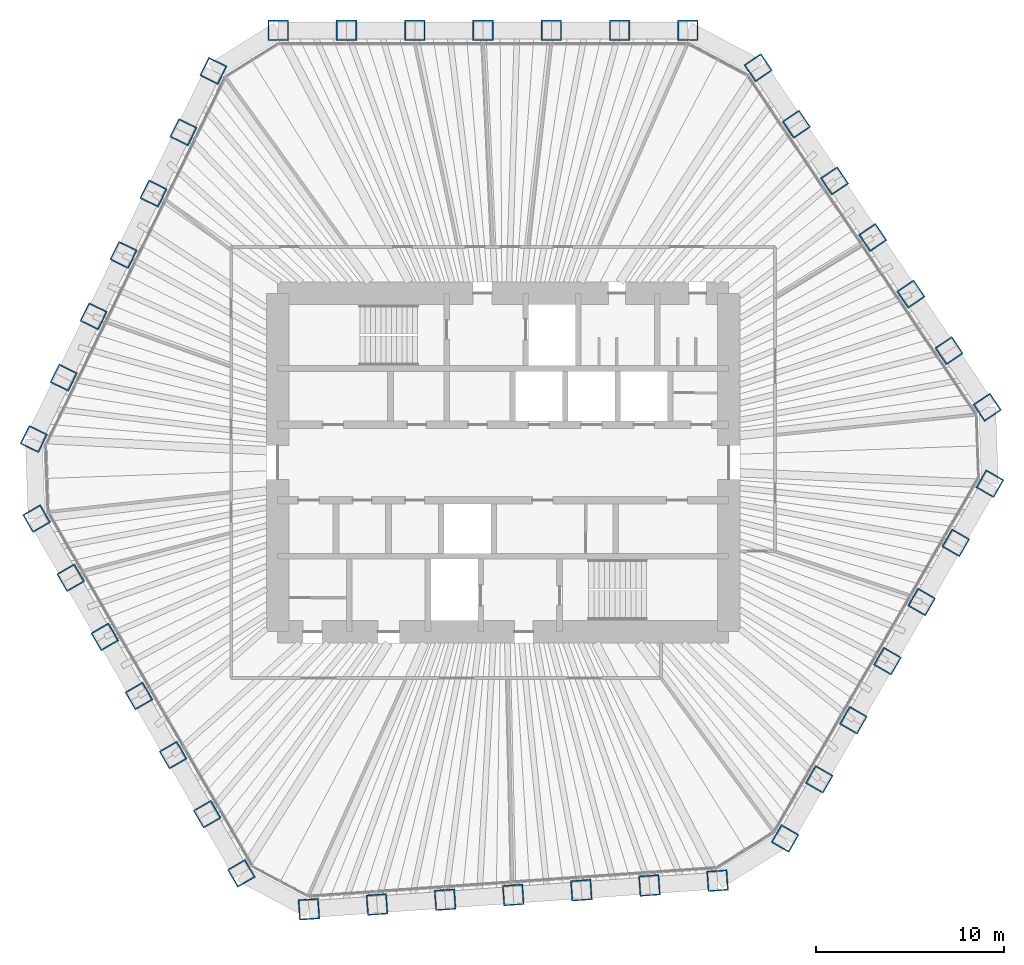
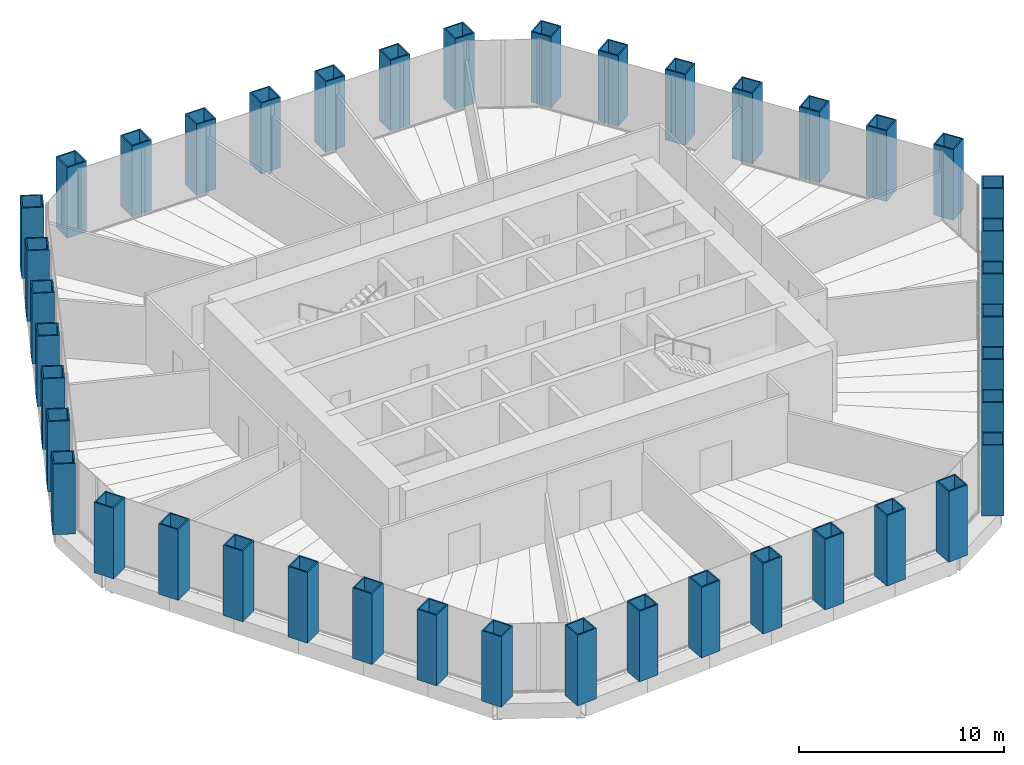
# One storey, part 1 of 14: 42 columns.
"""IFC4 building model written with IfcOpenShell, lengths in metres."""

from ifc_helpers import new_model, si_unit, direction, frame, origin, origin_2d, place, context, subcontext, project, spatial, hollow_rectangle, extrude, material, material_profile, profile_set, type_object, element, save


model = new_model("IFC4")

# Units and contexts
model_context = context("Model", 3, precision=1e-05, world=origin(), true_north=direction((0.0, 1.0)))
body_context = subcontext(model_context, "Body", "Model", "MODEL_VIEW")
ifc_project = project(units=[si_unit("LENGTHUNIT", "METRE"), si_unit("AREAUNIT", "SQUARE_METRE"), si_unit("VOLUMEUNIT", "CUBIC_METRE"), si_unit("PLANEANGLEUNIT", "RADIAN"), si_unit("MASSUNIT", "GRAM", prefix="KILO")], contexts=[model_context])

# Site, building, storey
site_placement = place(None, origin())
site = spatial("IfcSite", under=ifc_project, at=site_placement, CompositionType="ELEMENT")
building_placement = place(site_placement, origin())
building = spatial("IfcBuilding", under=site, at=building_placement, Name="Qingtian Harvest Tower", CompositionType="ELEMENT")
storey_placement = place(building_placement, frame((0.0, 0.0, 197.199951171875)))
storey = spatial("IfcBuildingStorey", under=building, at=storey_placement, Name="L42", CompositionType="ELEMENT", Elevation=197.199951171875)

# Columns
ifc_material = material(Name="Steel SM570MC", Category="steel")
ifc_material_profile = material_profile(ifc_material, hollow_rectangle(XDim=1.10009765625, YDim=1.10009765625, WallThickness=0.070068359375, at=origin_2d()), Name="BOX1100x1100x70")
ifc_profile_set = profile_set([ifc_material_profile], Name="Steel SM570MC")
column_type = type_object("IfcColumnType", Name="Tube column TC5 BOX1100x1100x70", PredefinedType="COLUMN", material=ifc_profile_set)
for number, where, z_axis, x_axis, name in (
    (1, (-11.971923828125, 23.0, 0.0), (0.0, 0.0, 1.0), (-1.0, 0.0, 0.0), "Tube column TC5 N0"),
    (2, (-8.33837890625, 23.0, 0.0), (0.0, 0.0, 1.0), (-1.0, 0.0, 0.0), "Tube column TC5 N1"),
    (3, (-4.704833984375, 23.0, 0.0), (0.0, 0.0, 1.0), (-1.0, 0.0, 0.0), "Tube column TC5 N2"),
    (4, (-1.0712890625, 23.0, 0.0), (0.0, 0.0, 1.0), (-1.0, 0.0, 0.0), "Tube column TC5 N3"),
    (5, (2.562255859375, 23.0, 0.0), (0.0, 0.0, 1.0), (-1.0, 0.0, 0.0), "Tube column TC5 N4"),
    (6, (6.19580078125, 23.0, 0.0), (0.0, 0.0, 1.0), (-1.0, 0.0, 0.0), "Tube column TC5 N5"),
    (7, (9.829345703125, 23.0, 0.0), (0.0, 0.0, 1.0), (-1.0, 0.0, 0.0), "Tube column TC5 N6"),
    (8, (13.5712890625, 21.01025390625, 0.0), (0.0, 0.0, 1.0), (-0.559192903471, 0.829037572555, 0.0), "Tube column TC5 NE0"),
    (9, (15.603271484375, 17.998046875, 0.0), (0.0, 0.0, 1.0), (-0.559192903471, 0.829037572555, 0.0), "Tube column TC5 NE1"),
    (10, (17.635009765625, 14.985595703125, 0.0), (0.0, 0.0, 1.0), (-0.559192903471, 0.829037572555, 0.0), "Tube column TC5 NE2"),
    (11, (19.6669921875, 11.97314453125, 0.0), (0.0, 0.0, 1.0), (-0.559192903471, 0.829037572555, 0.0), "Tube column TC5 NE3"),
    (12, (21.69873046875, 8.9609375, 0.0), (0.0, 0.0, 1.0), (-0.559192903471, 0.829037572555, 0.0), "Tube column TC5 NE4"),
    (13, (23.730712890625, 5.948486328125, 0.0), (0.0, 0.0, 1.0), (-0.559192903471, 0.829037572555, 0.0), "Tube column TC5 NE5"),
    (14, (25.762451171875, 2.936279296875, 0.0), (0.0, 0.0, 1.0), (-0.559192903471, 0.829037572555, 0.0), "Tube column TC5 NE6"),
    (15, (25.904541015625, -1.1318359375, 0.0), (0.0, 0.0, 1.0), (0.5, 0.866025403784, 0.0), "Tube column TC5 SE0"),
    (16, (24.087890625, -4.27880859375, 0.0), (0.0, 0.0, 1.0), (0.5, 0.866025403784, 0.0), "Tube column TC5 SE1"),
    (17, (22.27099609375, -7.425537109375, 0.0), (0.0, 0.0, 1.0), (0.5, 0.866025403784, 0.0), "Tube column TC5 SE2"),
    (18, (20.454345703125, -10.572265625, 0.0), (0.0, 0.0, 1.0), (0.5, 0.866025403784, 0.0), "Tube column TC5 SE3"),
    (19, (18.637451171875, -13.718994140625, 0.0), (0.0, 0.0, 1.0), (0.5, 0.866025403784, 0.0), "Tube column TC5 SE4"),
    (20, (16.82080078125, -16.86572265625, 0.0), (0.0, 0.0, 1.0), (0.5, 0.866025403784, 0.0), "Tube column TC5 SE5"),
    (21, (15.00390625, -20.012451171875, 0.0), (0.0, 0.0, 1.0), (0.5, 0.866025403784, 0.0), "Tube column TC5 SE6"),
    (22, (11.40966796875, -22.25830078125, 0.0), (0.0, 0.0, 1.0), (0.99756405026, 0.069756473744, 0.0), "Tube column TC5 S0"),
    (23, (7.78515625, -22.51171875, 0.0), (0.0, 0.0, 1.0), (0.99756405026, 0.069756473744, 0.0), "Tube column TC5 S1"),
    (24, (4.160400390625, -22.76513671875, 0.0), (0.0, 0.0, 1.0), (0.99756405026, 0.069756473744, 0.0), "Tube column TC5 S2"),
    (25, (0.53564453125, -23.018798828125, 0.0), (0.0, 0.0, 1.0), (0.99756405026, 0.069756473744, 0.0), "Tube column TC5 S3"),
    (26, (-3.089111328125, -23.272216796875, 0.0), (0.0, 0.0, 1.0), (0.99756405026, 0.069756473744, 0.0), "Tube column TC5 S4"),
    (27, (-6.713623046875, -23.525634765625, 0.0), (0.0, 0.0, 1.0), (0.99756405026, 0.069756473744, 0.0), "Tube column TC5 S5"),
    (28, (-10.33837890625, -23.779052734375, 0.0), (0.0, 0.0, 1.0), (0.99756405026, 0.069756473744, 0.0), "Tube column TC5 S6"),
    (29, (-13.9326171875, -21.8681640625, 0.0), (0.0, 0.0, 1.0), (0.5, -0.866025403784, 0.0), "Tube column TC5 SW0"),
    (30, (-15.749267578125, -18.72119140625, 0.0), (0.0, 0.0, 1.0), (0.5, -0.866025403784, 0.0), "Tube column TC5 SW1"),
    (31, (-17.566162109375, -15.574462890625, 0.0), (0.0, 0.0, 1.0), (0.5, -0.866025403784, 0.0), "Tube column TC5 SW2"),
    (32, (-19.3828125, -12.427734375, 0.0), (0.0, 0.0, 1.0), (0.5, -0.866025403784, 0.0), "Tube column TC5 SW3"),
    (33, (-21.19970703125, -9.281005859375, 0.0), (0.0, 0.0, 1.0), (0.5, -0.866025403784, 0.0), "Tube column TC5 SW4"),
    (34, (-23.016357421875, -6.13427734375, 0.0), (0.0, 0.0, 1.0), (0.5, -0.866025403784, 0.0), "Tube column TC5 SW5"),
    (35, (-24.833251953125, -2.987548828125, 0.0), (0.0, 0.0, 1.0), (0.5, -0.866025403784, 0.0), "Tube column TC5 SW6"),
    (36, (-24.981201171875, 1.248046875, 0.0), (0.0, 0.0, 1.0), (-0.438371146789, -0.898794046299, 0.0), "Tube column TC5 NW0"),
    (37, (-23.388427734375, 4.513916015625, 0.0), (0.0, 0.0, 1.0), (-0.438371146789, -0.898794046299, 0.0), "Tube column TC5 NW1"),
    (38, (-21.79541015625, 7.779541015625, 0.0), (0.0, 0.0, 1.0), (-0.438371146789, -0.898794046299, 0.0), "Tube column TC5 NW2"),
    (39, (-20.20263671875, 11.04541015625, 0.0), (0.0, 0.0, 1.0), (-0.438371146789, -0.898794046299, 0.0), "Tube column TC5 NW3"),
    (40, (-18.60986328125, 14.311279296875, 0.0), (0.0, 0.0, 1.0), (-0.438371146789, -0.898794046299, 0.0), "Tube column TC5 NW4"),
    (41, (-17.016845703125, 17.5771484375, 0.0), (0.0, 0.0, 1.0), (-0.438371146789, -0.898794046299, 0.0), "Tube column TC5 NW5"),
    (42, (-15.424072265625, 20.8427734375, 0.0), (0.0, 0.0, 1.0), (-0.438371146789, -0.898794046299, 0.0), "Tube column TC5 NW6"),
):
    element("IfcColumn", number, at=place(storey_placement, frame(where, z_axis=z_axis, x_axis=x_axis)), inside=storey, type_object=column_type, Name=name, PredefinedType="COLUMN", context=body_context, shape_type="SweptSolid", body=[
        extrude(hollow_rectangle(XDim=1.10009765625, YDim=1.10009765625, WallThickness=0.070068359375, at=origin_2d()), origin(), (0.0, 0.0, 1.0), 4.199951171875),
    ])

save(model, "model.ifc")
